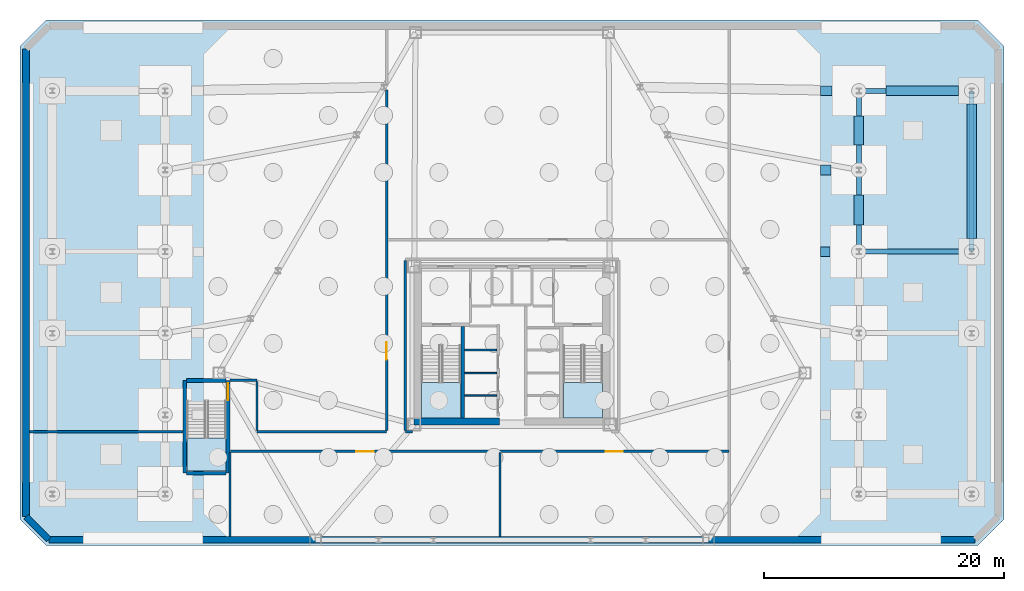
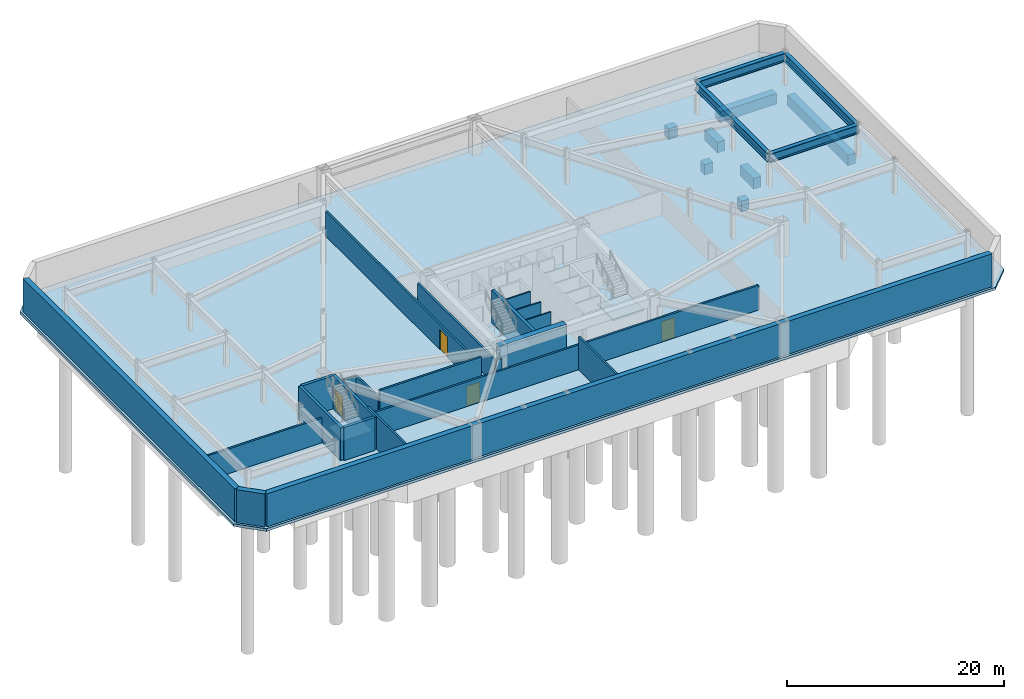
# One storey, part 5 of 8: 22 walls, 12 beams, 4 doors, 4 slabs, 4 openings, 3 elements without a shape of their own.
"""IFC4 building model written with IfcOpenShell, lengths in metres."""

from ifc_helpers import new_model, si_unit, direction, frame, frame_2d, origin, origin_2d, place, context, subcontext, project, spatial, polyline, rectangle, i_section, outline, extrude, material, layer, layer_set, material_profile, profile_set, type_object, element, fill, aggregate, save


model = new_model("IFC4")

# Units and contexts
model_context = context("Model", 3, precision=1e-05, world=origin(), true_north=direction((0.0, 1.0)))
body_context = subcontext(model_context, "Body", "Model", "MODEL_VIEW")
ifc_project = project(units=[si_unit("LENGTHUNIT", "METRE"), si_unit("AREAUNIT", "SQUARE_METRE"), si_unit("VOLUMEUNIT", "CUBIC_METRE"), si_unit("PLANEANGLEUNIT", "RADIAN"), si_unit("MASSUNIT", "GRAM", prefix="KILO")], contexts=[model_context])

# Site, building, storey
site_placement = place(None, origin())
site = spatial("IfcSite", under=ifc_project, at=site_placement, CompositionType="ELEMENT")
building_placement = place(site_placement, origin())
building = spatial("IfcBuilding", under=site, at=building_placement, Name="Oramaril Tower", CompositionType="ELEMENT")
storey_placement = place(building_placement, frame((0.0, 0.0, -8.0)))
storey = spatial("IfcBuildingStorey", under=building, at=storey_placement, Name="B02", CompositionType="ELEMENT", Elevation=-8.0)

# Beams
ifc_material_1 = material(Name="Steel ASTM A572 Gr 50", Category="steel")
ifc_material_profile_1 = material_profile(ifc_material_1, i_section(OverallWidth=0.424072265625, OverallDepth=0.947021484375, WebThickness=0.02392578125, FlangeThickness=0.042724609375, at=origin_2d()), Name="W36X302")
ifc_profile_set_1 = profile_set([ifc_material_profile_1], Name="Steel ASTM A572 Gr 50")
beam_type_1 = type_object("IfcBeamType", Name="BT-PG1", PredefinedType="BEAM", material=ifc_profile_set_1)
for number, where, z_axis, x_axis, name in (
    (1, (66.39990234375, 25.39990234375, 3.24658203125), (1.0, 0.0, 0.0), (0.0, 1.0, 0.0), "B02 Wing Transverse Girder 07"),
    (2, (66.39990234375, 38.800048828125, 3.24658203125), (1.0, 0.0, 0.0), (0.0, 1.0, 0.0), "B02 Wing Transverse Girder 08"),
):
    element("IfcBeam", number, at=place(storey_placement, frame(where, z_axis=z_axis, x_axis=x_axis)), inside=storey, type_object=beam_type_1, Name=name, PredefinedType="BEAM", context=body_context, shape_type="SweptSolid", body=[
        extrude(i_section(OverallWidth=0.424072265625, OverallDepth=0.947021484375, WebThickness=0.02392578125, FlangeThickness=0.042724609375, at=origin_2d()), origin(), (0.0, 0.0, 1.0), 9.400146484375),
    ])
ifc_material_2 = material(Name="Steel ASTM A572 Gr 50", Category="steel")
ifc_material_profile_2 = material_profile(ifc_material_2, i_section(OverallWidth=0.4189453125, OverallDepth=0.927001953125, WebThickness=0.019287109375, FlangeThickness=0.031982421875, at=origin_2d()), Name="W36X231")
ifc_profile_set_2 = profile_set([ifc_material_profile_2], Name="Steel ASTM A572 Gr 50")
beam_type_2 = type_object("IfcBeamType", Name="BT-PG2", PredefinedType="BEAM", material=ifc_profile_set_2)
beam_1_placement = place(storey_placement, frame((66.39990234375, 25.39990234375, 3.256591796875), z_axis=(0.0, 1.0, 0.0), x_axis=(-1.0, 0.0, 0.0)))
element("IfcBeam", 3, at=beam_1_placement, inside=storey, type_object=beam_type_2, Name="B02 Podium Perimeter Girder 10", PredefinedType="BEAM", context=body_context, shape_type="SweptSolid", body=[
    extrude(i_section(OverallWidth=0.4189453125, OverallDepth=0.927001953125, WebThickness=0.019287109375, FlangeThickness=0.031982421875, at=origin_2d()), origin(), (0.0, 0.0, 1.0), 6.800048828125),
])
beam_2_placement = place(storey_placement, frame((66.39990234375, 32.199951171875, 3.256591796875), z_axis=(0.0, 1.0, 0.0), x_axis=(-1.0, 0.0, 0.0)))
element("IfcBeam", 4, at=beam_2_placement, inside=storey, type_object=beam_type_2, Name="B02 Podium Perimeter Girder 11", PredefinedType="BEAM", context=body_context, shape_type="SweptSolid", body=[
    extrude(i_section(OverallWidth=0.4189453125, OverallDepth=0.927001953125, WebThickness=0.019287109375, FlangeThickness=0.031982421875, at=origin_2d()), origin(), (0.0, 0.0, 1.0), 6.60009765625),
])
beam_3_placement = place(storey_placement, frame((75.800048828125, 25.39990234375, 3.256591796875), z_axis=(0.0, 1.0, 0.0), x_axis=(-1.0, 0.0, 0.0)))
element("IfcBeam", 5, at=beam_3_placement, inside=storey, type_object=beam_type_2, Name="B02 Wing Perimeter Girder 07", PredefinedType="BEAM", context=body_context, shape_type="SweptSolid", body=[
    extrude(i_section(OverallWidth=0.4189453125, OverallDepth=0.927001953125, WebThickness=0.019287109375, FlangeThickness=0.031982421875, at=origin_2d()), origin(), (0.0, 0.0, 1.0), 13.400146484375),
])
ifc_material_3 = material(Name="Concrete C50/60", Category="concrete")
ifc_material_profile_3 = material_profile(ifc_material_3, rectangle(XDim=0.800048828125, YDim=1.199951171875, at=origin_2d()), Name="TB800X1200")
ifc_profile_set_3 = profile_set([ifc_material_profile_3], Name="Concrete C50/60")
beam_type_3 = type_object("IfcBeamType", Name="BT-TB1", PredefinedType="BEAM", material=ifc_profile_set_3)
beam_4_placement = place(storey_placement, frame((66.39990234375, 27.60009765625, -0.949951171875), z_axis=(0.0, 1.0, 0.0), x_axis=(-1.0, 0.0, 0.0)))
element("IfcBeam", 6, at=beam_4_placement, inside=storey, type_object=beam_type_3, Name="Foundation Tie Beam TB-09", PredefinedType="BEAM", context=body_context, shape_type="SweptSolid", body=[
    extrude(rectangle(XDim=0.800048828125, YDim=1.199951171875, at=origin_2d()), origin(), (0.0, 0.0, 1.0), 2.5),
])
beam_5_placement = place(storey_placement, frame((66.39990234375, 34.300048828125, -0.949951171875), z_axis=(0.0, 1.0, 0.0), x_axis=(-1.0, 0.0, 0.0)))
element("IfcBeam", 7, at=beam_5_placement, inside=storey, type_object=beam_type_3, Name="Foundation Tie Beam TB-10", PredefinedType="BEAM", context=body_context, shape_type="SweptSolid", body=[
    extrude(rectangle(XDim=0.800048828125, YDim=1.199951171875, at=origin_2d()), origin(), (0.0, 0.0, 1.0), 2.39990234375),
])
beam_6_placement = place(storey_placement, frame((63.199951171875, 25.39990234375, -0.949951171875), z_axis=(1.0, 0.0, 0.0), x_axis=(0.0, 1.0, 0.0)))
element("IfcBeam", 8, at=beam_6_placement, inside=storey, type_object=beam_type_3, Name="Foundation Tie Beam TB-20", PredefinedType="BEAM", context=body_context, shape_type="SweptSolid", body=[
    extrude(rectangle(XDim=0.800048828125, YDim=1.199951171875, at=origin_2d()), origin(), (0.0, 0.0, 1.0), 0.800048828125),
])
beam_7_placement = place(storey_placement, frame((63.199951171875, 32.199951171875, -0.949951171875), z_axis=(1.0, 0.0, 0.0), x_axis=(0.0, 1.0, 0.0)))
element("IfcBeam", 9, at=beam_7_placement, inside=storey, type_object=beam_type_3, Name="Foundation Tie Beam TB-21", PredefinedType="BEAM", context=body_context, shape_type="SweptSolid", body=[
    extrude(rectangle(XDim=0.800048828125, YDim=1.199951171875, at=origin_2d()), origin(), (0.0, 0.0, 1.0), 0.900146484375),
])
beam_8_placement = place(storey_placement, frame((63.199951171875, 38.800048828125, -0.949951171875), z_axis=(1.0, 0.0, 0.0), x_axis=(0.0, 1.0, 0.0)))
element("IfcBeam", 10, at=beam_8_placement, inside=storey, type_object=beam_type_3, Name="Foundation Tie Beam TB-22", PredefinedType="BEAM", context=body_context, shape_type="SweptSolid", body=[
    extrude(rectangle(XDim=0.800048828125, YDim=1.199951171875, at=origin_2d()), origin(), (0.0, 0.0, 1.0), 0.949951171875),
])
beam_9_placement = place(storey_placement, frame((75.800048828125, 26.5, -0.949951171875), z_axis=(0.0, 1.0, 0.0), x_axis=(-1.0, 0.0, 0.0)))
element("IfcBeam", 11, at=beam_9_placement, inside=storey, type_object=beam_type_3, Name="Foundation Tie Beam TB-28", PredefinedType="BEAM", context=body_context, shape_type="SweptSolid", body=[
    extrude(rectangle(XDim=0.800048828125, YDim=1.199951171875, at=origin_2d()), origin(), (0.0, 0.0, 1.0), 11.199951171875),
])
beam_10_placement = place(storey_placement, frame((68.64990234375, 38.800048828125, -0.949951171875), z_axis=(1.0, 0.0, 0.0), x_axis=(0.0, 1.0, 0.0)))
element("IfcBeam", 12, at=beam_10_placement, inside=storey, type_object=beam_type_3, Name="Foundation Tie Beam TB-32", PredefinedType="BEAM", context=body_context, shape_type="SweptSolid", body=[
    extrude(rectangle(XDim=0.800048828125, YDim=1.199951171875, at=origin_2d()), origin(), (0.0, 0.0, 1.0), 6.050048828125),
])

# Slab
ifc_material_4 = material(Name="Concrete C50/60", Category="concrete")
ifc_layer_1 = layer(ifc_material_4, 0.300048828125)
ifc_layer_set_1 = layer_set([ifc_layer_1], Name="SLT-BASE")
slab_type_1 = type_object("IfcSlabType", Name="SLT-BASE", PredefinedType="BASESLAB", material=ifc_layer_set_1)
slab_1_placement = place(storey_placement, frame((0.0, 0.0, -0.300048828125)))
element("IfcSlab", 13, at=slab_1_placement, inside=storey, type_object=slab_type_1, Name="B02 Structural Base Slab", PredefinedType="BASESLAB", context=body_context, shape_type="SweptSolid", body=[
    extrude(outline(polyline([(-1.300048828125, 0.89990234375), (76.300048828125, 0.89990234375), (78.5, 3.10009765625), (78.5, 42.5), (76.300048828125, 44.699951171875), (-1.300048828125, 44.699951171875), (-3.5, 42.5), (-3.5, 3.10009765625), (-1.300048828125, 0.89990234375)])), origin(), (0.0, 0.0, 1.0), 0.300048828125),
])

# Stair, slab
ifc_material_5 = material(Name="Concrete C50/60", Category="concrete")
stair_type = type_object("IfcStairType", Name="STT-DG-4000", PredefinedType="HALF_TURN_STAIR", material=ifc_material_5)
stair_1_placement = place(storey_placement, origin())
stair_1 = element("IfcStair", 14, at=stair_1_placement, inside=storey, type_object=stair_type, Name="B02 Protected PFP Exit Stair ST-1", PredefinedType="HALF_TURN_STAIR")
ifc_material_6 = material(Name="Concrete C50/60", Category="concrete")
ifc_layer_2 = layer(ifc_material_6, 0.199951171875)
ifc_layer_set_2 = layer_set([ifc_layer_2], Name="SLT-LND20")
slab_type_2 = type_object("IfcSlabType", Name="SLT-LND20", PredefinedType="LANDING", material=ifc_layer_set_2)
slab_2_placement = place(storey_placement, frame((0.0, 0.0, 1.800048828125)))
slab_2 = element("IfcSlab", 15, at=slab_2_placement, type_object=slab_type_2, Name="ST-1 landing 1", PredefinedType="LANDING", context=body_context, shape_type="SweptSolid", body=[
    extrude(outline(polyline([(29.949951171875, 14.510009765625), (29.949951171875, 11.550048828125), (33.219970703125, 11.550048828125), (33.219970703125, 14.510009765625), (29.949951171875, 14.510009765625)])), origin(), (0.0, 0.0, 1.0), 0.199951171875),
])
aggregate(stair_1, [slab_2])

stair_2_placement = place(storey_placement, origin())
stair_2 = element("IfcStair", 16, at=stair_2_placement, inside=storey, type_object=stair_type, Name="B02 Protected PFP Exit Stair ST-2", PredefinedType="HALF_TURN_STAIR")
slab_3_placement = place(storey_placement, frame((0.0, 0.0, 1.800048828125)))
slab_3 = element("IfcSlab", 17, at=slab_3_placement, type_object=slab_type_2, Name="ST-2 landing 1", PredefinedType="LANDING", context=body_context, shape_type="SweptSolid", body=[
    extrude(outline(polyline([(41.780029296875, 14.510009765625), (41.780029296875, 11.550048828125), (45.050048828125, 11.550048828125), (45.050048828125, 14.510009765625), (41.780029296875, 14.510009765625)])), origin(), (0.0, 0.0, 1.0), 0.199951171875),
])
aggregate(stair_2, [slab_3])

stair_3_placement = place(storey_placement, origin())
stair_3 = element("IfcStair", 18, at=stair_3_placement, inside=storey, type_object=stair_type, Name="B02 Podium Enclosed Exit Stair ST-3", PredefinedType="HALF_TURN_STAIR")
slab_4_placement = place(storey_placement, frame((0.0, 0.0, 1.800048828125)))
slab_4 = element("IfcSlab", 19, at=slab_4_placement, type_object=slab_type_2, Name="ST-3 landing 1", PredefinedType="LANDING", context=body_context, shape_type="SweptSolid", body=[
    extrude(outline(polyline([(10.39990234375, 9.860107421875), (10.39990234375, 7.10009765625), (13.669921875, 7.10009765625), (13.669921875, 9.860107421875), (10.39990234375, 9.860107421875)])), origin(), (0.0, 0.0, 1.0), 0.199951171875),
])
aggregate(stair_3, [slab_4])

# Walls
ifc_material_7 = material(Name="Acoustic Gypsum Board Partition")
ifc_layer_3 = layer(ifc_material_7, 0.139892578125)
ifc_layer_set_3 = layer_set([ifc_layer_3], Name="WT-PT14")
wall_type_1 = type_object("IfcWallType", Name="WT-PT14", PredefinedType="PARTITIONING", material=ifc_layer_set_3)
for number, where, z_axis, x_axis, name in (
    (20, (33.56005859375, 13.419921875, 0.0), (0.0, 0.0, 1.0), (1.0, 0.0, 0.0), "B02 West Lift Divider"),
    (21, (33.56005859375, 15.27001953125, 0.0), (0.0, 0.0, 1.0), (1.0, 0.0, 0.0), "B02 West Lift Divider"),
    (22, (33.56005859375, 17.199951171875, 0.0), (0.0, 0.0, 1.0), (1.0, 0.0, 0.0), "B02 West Lift Divider"),
):
    element("IfcWall", number, at=place(storey_placement, frame(where, z_axis=z_axis, x_axis=x_axis)), inside=storey, type_object=wall_type_1, Name=name, PredefinedType="PARTITIONING", context=body_context, shape_type="SweptSolid", body=[
        extrude(rectangle(XDim=2.659912109375, YDim=0.139892578125, at=frame_2d((1.330078125, 0.0))), origin(), (0.0, 0.0, 1.0), 3.719970703125),
    ])

# Wall, openings, doors
ifc_material_8 = material(Name="Autoclaved Cellular Concrete Block", Category="concrete")
ifc_layer_4 = layer(ifc_material_8, 0.199951171875)
ifc_layer_set_4 = layer_set([ifc_layer_4], Name="WT-PT20")
wall_type_2 = type_object("IfcWallType", Name="WT-PT20", PredefinedType="PARTITIONING", material=ifc_layer_set_4)
wall_1_placement = place(storey_placement, frame((14.030029296875, 8.75, 0.0), z_axis=(0.0, 0.0, 1.0), x_axis=(1.0, 0.0, 0.0)))
wall_1 = element("IfcWall", 23, at=wall_1_placement, inside=storey, type_object=wall_type_2, Name="B02 Interior Partition PT-20", PredefinedType="PARTITIONING", context=body_context, shape_type="SweptSolid", body=[
    extrude(rectangle(XDim=41.570068359375, YDim=0.199951171875, at=frame_2d((20.78515625, 0.0))), origin(), (0.0, 0.0, 1.0), 2.782958984375),
])
opening_1_placement = place(wall_1_placement, frame((10.510986328125, 0.0, 0.0)))
opening_1 = element("IfcOpeningElement", 24, at=opening_1_placement, cuts=wall_1, Name="Opening D-B02-01", PredefinedType="OPENING", context=body_context, shape_type="SweptSolid", body=[
    extrude(rectangle(XDim=1.449951171875, YDim=2.25, at=frame_2d((0.72509765625, 1.125))), frame((0.0, 0.10009765625, 0.0), z_axis=(0.0, -1.0, 0.0), x_axis=(1.0, 0.0, 0.0)), (0.0, 0.0, 1.0), 0.199951171875),
])
opening_2_placement = place(wall_1_placement, frame((31.26904296875, 0.0, 0.0)))
opening_2 = element("IfcOpeningElement", 25, at=opening_2_placement, cuts=wall_1, Name="Opening D-B02-02", PredefinedType="OPENING", context=body_context, shape_type="SweptSolid", body=[
    extrude(rectangle(XDim=1.449951171875, YDim=2.25, at=frame_2d((0.72509765625, 1.125))), frame((0.0, 0.10009765625, 0.0), z_axis=(0.0, -1.0, 0.0), x_axis=(1.0, 0.0, 0.0)), (0.0, 0.0, 1.0), 0.199951171875),
])
ifc_material_9 = material(Name="Painted Galvanised Steel", Category="steel")
door_type_1 = type_object("IfcDoorType", Name="DT-PLT", OperationType="NOTDEFINED", PredefinedType="DOOR", material=ifc_material_9)
door_1_placement = place(opening_1_placement, origin())
door_1 = element("IfcDoor", 26, at=door_1_placement, inside=storey, type_object=door_type_1, Name="B02 B02 Electrical Substation Room Door D-B02-01", OperationType="SINGLE_SWING_RIGHT", OverallHeight=2.25, OverallWidth=1.449951171875, PredefinedType="DOOR", context=body_context, shape_type="SweptSolid", body=[
    extrude(rectangle(XDim=1.449951171875, YDim=2.25, at=frame_2d((0.72509765625, 1.125))), frame((0.0, 0.02490234375, 0.0), z_axis=(0.0, -1.0, 0.0), x_axis=(1.0, 0.0, 0.0)), (0.0, 0.0, 1.0), 0.050048828125),
])
fill(opening_1, door_1)
door_2_placement = place(opening_2_placement, origin())
door_2 = element("IfcDoor", 27, at=door_2_placement, inside=storey, type_object=door_type_1, Name="B02 B02 Emergency Generator Plant Room Door D-B02-02", OperationType="SINGLE_SWING_LEFT", OverallHeight=2.25, OverallWidth=1.449951171875, PredefinedType="DOOR", context=body_context, shape_type="SweptSolid", body=[
    extrude(rectangle(XDim=1.449951171875, YDim=2.25, at=frame_2d((0.72509765625, 1.125))), frame((0.0, 0.02490234375, 0.0), z_axis=(0.0, -1.0, 0.0), x_axis=(1.0, 0.0, 0.0)), (0.0, 0.0, 1.0), 0.050048828125),
])
fill(opening_2, door_2)

# Walls
wall_2_placement = place(storey_placement, frame((-2.720947265625, 10.39990234375, 0.0), z_axis=(0.0, 0.0, 1.0), x_axis=(1.0, 0.0, 0.0)))
element("IfcWall", 28, at=wall_2_placement, inside=storey, type_object=wall_type_2, Name="B02 Interior Partition PT-20", PredefinedType="PARTITIONING", context=body_context, shape_type="SweptSolid", body=[
    extrude(rectangle(XDim=12.801025390625, YDim=0.199951171875, at=frame_2d((6.400390625, 0.0))), origin(), (0.0, 0.0, 1.0), 2.782958984375),
])
wall_3_placement = place(storey_placement, frame((16.25, 10.39990234375, 0.0), z_axis=(0.0, 0.0, 1.0), x_axis=(1.0, 0.0, 0.0)))
element("IfcWall", 29, at=wall_3_placement, inside=storey, type_object=wall_type_2, Name="B02 Interior Partition PT-20", PredefinedType="PARTITIONING", context=body_context, shape_type="SweptSolid", body=[
    extrude(rectangle(XDim=10.800048828125, YDim=0.199951171875, at=frame_2d((5.39990234375, 0.0))), origin(), (0.0, 0.0, 1.0), 3.719970703125),
])
wall_4_placement = place(storey_placement, frame((28.6201171875, 10.39990234375, 0.0), z_axis=(0.0, 0.0, 1.0), x_axis=(1.0, 0.0, 0.0)))
element("IfcWall", 30, at=wall_4_placement, inside=storey, type_object=wall_type_2, Name="B02 Interior Partition PT-20", PredefinedType="PARTITIONING", context=body_context, shape_type="SweptSolid", body=[
    extrude(rectangle(XDim=0.579833984375, YDim=0.199951171875, at=frame_2d((0.2900390625, 0.0))), origin(), (0.0, 0.0, 1.0), 2.782958984375),
])
wall_5_placement = place(storey_placement, frame((13.989990234375, 14.679931640625, 0.0), z_axis=(0.0, 0.0, 1.0), x_axis=(1.0, 0.0, 0.0)))
element("IfcWall", 31, at=wall_5_placement, inside=storey, type_object=wall_type_2, Name="B02 Interior Partition PT-20", PredefinedType="PARTITIONING", context=body_context, shape_type="SweptSolid", body=[
    extrude(rectangle(XDim=2.260009765625, YDim=0.199951171875, at=frame_2d((1.1298828125, 0.0))), origin(), (0.0, 0.0, 1.0), 2.782958984375),
])
wall_6_placement = place(storey_placement, frame((14.0, 1.678955078125, 0.0), z_axis=(0.0, 0.0, 1.0), x_axis=(0.0, 1.0, 0.0)))
element("IfcWall", 32, at=wall_6_placement, inside=storey, type_object=wall_type_2, Name="B02 Interior Partition PT-20", PredefinedType="PARTITIONING", context=body_context, shape_type="SweptSolid", body=[
    extrude(rectangle(XDim=6.967041015625, YDim=0.199951171875, at=frame_2d((3.4833984375, 0.0))), origin(), (0.0, 0.0, 1.0), 3.719970703125),
])
wall_7_placement = place(storey_placement, frame((16.25, 10.50390625, 0.0), z_axis=(0.0, 0.0, 1.0), x_axis=(0.0, 1.0, 0.0)))
element("IfcWall", 33, at=wall_7_placement, inside=storey, type_object=wall_type_2, Name="B02 Interior Partition PT-20", PredefinedType="PARTITIONING", context=body_context, shape_type="SweptSolid", body=[
    extrude(rectangle(XDim=4.072021484375, YDim=0.199951171875, at=frame_2d((2.0361328125, 0.0))), origin(), (0.0, 0.0, 1.0), 2.782958984375),
])

# Wall, opening, door
wall_8_placement = place(storey_placement, frame((27.050048828125, 10.50390625, 0.0), z_axis=(0.0, 0.0, 1.0), x_axis=(0.0, 1.0, 0.0)))
wall_8 = element("IfcWall", 34, at=wall_8_placement, inside=storey, type_object=wall_type_2, Name="B02 Interior Partition PT-20", PredefinedType="PARTITIONING", context=body_context, shape_type="SweptSolid", body=[
    extrude(rectangle(XDim=28.375732421875, YDim=0.199951171875, at=frame_2d((14.18798828125, 0.0))), origin(), (0.0, 0.0, 1.0), 2.782958984375),
])
opening_3_placement = place(wall_8_placement, frame((5.900390625, 0.0, 0.0)))
opening_3 = element("IfcOpeningElement", 35, at=opening_3_placement, cuts=wall_8, Name="Opening D-B02-04", PredefinedType="OPENING", context=body_context, shape_type="SweptSolid", body=[
    extrude(rectangle(XDim=1.449951171875, YDim=2.25, at=frame_2d((0.72509765625, 1.125))), frame((0.0, 0.10009765625, 0.0), z_axis=(0.0, -1.0, 0.0), x_axis=(1.0, 0.0, 0.0)), (0.0, 0.0, 1.0), 0.199951171875),
])
door_3_placement = place(opening_3_placement, origin())
door_3 = element("IfcDoor", 36, at=door_3_placement, inside=storey, type_object=door_type_1, Name="B02 B02 Potable and Fire Water Tank Room Door D-B02-04", OperationType="SINGLE_SWING_LEFT", OverallHeight=2.25, OverallWidth=1.449951171875, PredefinedType="DOOR", context=body_context, shape_type="SweptSolid", body=[
    extrude(rectangle(XDim=1.449951171875, YDim=2.25, at=frame_2d((0.72509765625, 1.125))), frame((0.0, 0.02490234375, 0.0), z_axis=(0.0, -1.0, 0.0), x_axis=(1.0, 0.0, 0.0)), (0.0, 0.0, 1.0), 0.050048828125),
])
fill(opening_3, door_3)

# Walls
wall_9_placement = place(storey_placement, frame((28.6201171875, 10.50390625, 0.0), z_axis=(0.0, 0.0, 1.0), x_axis=(0.0, 1.0, 0.0)))
element("IfcWall", 37, at=wall_9_placement, inside=storey, type_object=wall_type_2, Name="B02 Interior Partition PT-20", PredefinedType="PARTITIONING", context=body_context, shape_type="SweptSolid", body=[
    extrude(rectangle(XDim=14.14208984375, YDim=0.199951171875, at=frame_2d((7.071044921875, 0.0))), origin(), (0.0, 0.0, 1.0), 2.782958984375),
])
wall_10_placement = place(storey_placement, frame((36.5, 1.678955078125, 0.0), z_axis=(0.0, 0.0, 1.0), x_axis=(0.0, 1.0, 0.0)))
element("IfcWall", 38, at=wall_10_placement, inside=storey, type_object=wall_type_2, Name="B02 Interior Partition PT-20", PredefinedType="PARTITIONING", context=body_context, shape_type="SweptSolid", body=[
    extrude(rectangle(XDim=6.967041015625, YDim=0.199951171875, at=frame_2d((3.4833984375, 0.0))), origin(), (0.0, 0.0, 1.0), 3.719970703125),
])
ifc_material_10 = material(Name="Concrete C50/60", Category="concrete")
ifc_layer_5 = layer(ifc_material_10, 0.550048828125)
ifc_layer_set_5 = layer_set([ifc_layer_5], Name="WT-RET55")
wall_type_3 = type_object("IfcWallType", Name="WT-RET55", PredefinedType="USERDEFINED", material=ifc_layer_set_5)
wall_11_placement = place(storey_placement, frame((-1.093017578125, 1.39990234375, 0.0), z_axis=(0.0, 0.0, 1.0), x_axis=(1.0, 0.0, 0.0)))
element("IfcWall", 39, at=wall_11_placement, inside=storey, type_object=wall_type_3, Name="B02 Perimeter Retaining Wall RW-01", ObjectType="RETAININGWALL", PredefinedType="USERDEFINED", context=body_context, shape_type="SweptSolid", body=[
    extrude(rectangle(XDim=77.18603515625, YDim=0.550048828125, at=frame_2d((38.593017578125, 0.0))), origin(), (0.0, 0.0, 1.0), 3.719970703125),
])
wall_12_placement = place(storey_placement, frame((-3.0, 42.29296875, 0.0), z_axis=(0.0, 0.0, 1.0), x_axis=(0.0, -1.0, 0.0)))
element("IfcWall", 40, at=wall_12_placement, inside=storey, type_object=wall_type_3, Name="B02 Perimeter Retaining Wall RW-07", ObjectType="RETAININGWALL", PredefinedType="USERDEFINED", context=body_context, shape_type="SweptSolid", body=[
    extrude(rectangle(XDim=38.98583984375, YDim=0.550048828125, at=frame_2d((19.492919921875, 0.0))), origin(), (0.0, 0.0, 1.0), 3.719970703125),
])
wall_13_placement = place(storey_placement, frame((-3.0, 3.30712890625, 0.0), z_axis=(0.0, 0.0, 1.0), x_axis=(0.707061519111, -0.707152040365, 0.0)))
element("IfcWall", 41, at=wall_13_placement, inside=storey, type_object=wall_type_3, Name="B02 Perimeter Retaining Wall RW-08", ObjectType="RETAININGWALL", PredefinedType="USERDEFINED", context=body_context, shape_type="SweptSolid", body=[
    extrude(rectangle(XDim=2.697021484375, YDim=0.550048828125, at=frame_2d((1.3486328125, 0.0))), origin(), (0.0, 0.0, 1.0), 3.719970703125),
])
ifc_material_11 = material(Name="Concrete C50/60", Category="concrete")
ifc_layer_6 = layer(ifc_material_11, 0.300048828125)
ifc_layer_set_6 = layer_set([ifc_layer_6], Name="WT-SH30")
wall_type_4 = type_object("IfcWallType", Name="WT-SH30", PredefinedType="SHEAR", material=ifc_layer_set_6)
wall_14_placement = place(storey_placement, frame((33.3798828125, 11.5400390625, 0.0), z_axis=(0.0, 0.0, 1.0), x_axis=(0.0, 1.0, 0.0)))
element("IfcWall", 42, at=wall_14_placement, inside=storey, type_object=wall_type_4, Name="B02 Core Shear Wall CW-ST1E", PredefinedType="SHEAR", context=body_context, shape_type="SweptSolid", body=[
    extrude(rectangle(XDim=7.619873046875, YDim=0.300048828125, at=frame_2d((3.81005859375, 0.0))), origin(), (0.0, 0.0, 1.0), 3.719970703125),
])
wall_15_placement = place(storey_placement, frame((10.239990234375, 6.93994140625, 0.0), z_axis=(0.0, 0.0, 1.0), x_axis=(0.0, 1.0, 0.0)))
element("IfcWall", 43, at=wall_15_placement, inside=storey, type_object=wall_type_4, Name="B02 Stair ST-3 Shear Wall ST3W", PredefinedType="SHEAR", context=body_context, shape_type="SweptSolid", body=[
    extrude(rectangle(XDim=7.719970703125, YDim=0.300048828125, at=frame_2d((3.85986328125, 0.0))), origin(), (0.0, 0.0, 1.0), 3.719970703125),
])

# Wall, opening, door
wall_16_placement = place(storey_placement, frame((13.830078125, 6.93994140625, 0.0), z_axis=(0.0, 0.0, 1.0), x_axis=(0.0, 1.0, 0.0)))
wall_16 = element("IfcWall", 44, at=wall_16_placement, inside=storey, type_object=wall_type_4, Name="B02 Stair ST-3 Shear Wall ST3E", PredefinedType="SHEAR", context=body_context, shape_type="SweptSolid", body=[
    extrude(rectangle(XDim=7.719970703125, YDim=0.300048828125, at=frame_2d((3.85986328125, 0.0))), origin(), (0.0, 0.0, 1.0), 3.719970703125),
])
opening_4_placement = place(wall_16_placement, frame((6.080078125, 0.0, 0.0)))
opening_4 = element("IfcOpeningElement", 45, at=opening_4_placement, cuts=wall_16, Name="Opening D-B02-ST3", PredefinedType="OPENING", context=body_context, shape_type="SweptSolid", body=[
    extrude(rectangle(XDim=1.39990234375, YDim=2.199951171875, at=frame_2d((0.699951171875, 1.10009765625))), frame((0.0, 0.14990234375, 0.0), z_axis=(0.0, -1.0, 0.0), x_axis=(1.0, 0.0, 0.0)), (0.0, 0.0, 1.0), 0.300048828125),
])
ifc_material_12 = material(Name="Painted Galvanised Steel", Category="steel")
door_type_2 = type_object("IfcDoorType", Name="DT-ST", OperationType="NOTDEFINED", PredefinedType="DOOR", material=ifc_material_12)
door_4_placement = place(opening_4_placement, origin())
door_4 = element("IfcDoor", 46, at=door_4_placement, inside=storey, type_object=door_type_2, Name="B02 Stair ST-3 Protected Door", OperationType="SINGLE_SWING_RIGHT", OverallHeight=2.199951171875, OverallWidth=1.39990234375, PredefinedType="DOOR", context=body_context, shape_type="SweptSolid", body=[
    extrude(rectangle(XDim=1.39990234375, YDim=2.199951171875, at=frame_2d((0.699951171875, 1.10009765625))), frame((0.0, 0.02490234375, 0.0), z_axis=(0.0, -1.0, 0.0), x_axis=(1.0, 0.0, 0.0)), (0.0, 0.0, 1.0), 0.050048828125),
])
fill(opening_4, door_4)

# Walls
for number, where, z_axis, x_axis, name in (
    (47, (10.389892578125, 6.93994140625, 0.0), (0.0, 0.0, 1.0), (1.0, 0.0, 0.0), "B02 Stair ST-3 Shear Wall ST3S"),
    (48, (10.389892578125, 14.659912109375, 0.0), (0.0, 0.0, 1.0), (1.0, 0.0, 0.0), "B02 Stair ST-3 Shear Wall ST3N"),
):
    element("IfcWall", number, at=place(storey_placement, frame(where, z_axis=z_axis, x_axis=x_axis)), inside=storey, type_object=wall_type_4, Name=name, PredefinedType="SHEAR", context=body_context, shape_type="SweptSolid", body=[
        extrude(rectangle(XDim=3.2900390625, YDim=0.300048828125, at=frame_2d((1.64501953125, 0.0))), origin(), (0.0, 0.0, 1.0), 3.719970703125),
    ])
ifc_material_13 = material(Name="Concrete C50/60", Category="concrete")
ifc_layer_7 = layer(ifc_material_13, 0.60009765625)
ifc_layer_set_7 = layer_set([ifc_layer_7], Name="WT-SH60")
wall_type_5 = type_object("IfcWallType", Name="WT-SH60", PredefinedType="SHEAR", material=ifc_layer_set_7)
wall_17_placement = place(storey_placement, frame((29.35009765625, 11.239990234375, 0.0), z_axis=(0.0, 0.0, 1.0), x_axis=(1.0, 0.0, 0.0)))
element("IfcWall", 49, at=wall_17_placement, inside=storey, type_object=wall_type_5, Name="B02 Core Shear Wall CW-SW", PredefinedType="SHEAR", context=body_context, shape_type="SweptSolid", body=[
    extrude(rectangle(XDim=7.099853515625, YDim=0.60009765625, at=frame_2d((3.5498046875, 0.0))), origin(), (0.0, 0.0, 1.0), 3.719970703125),
])

save(model, "model.ifc")
